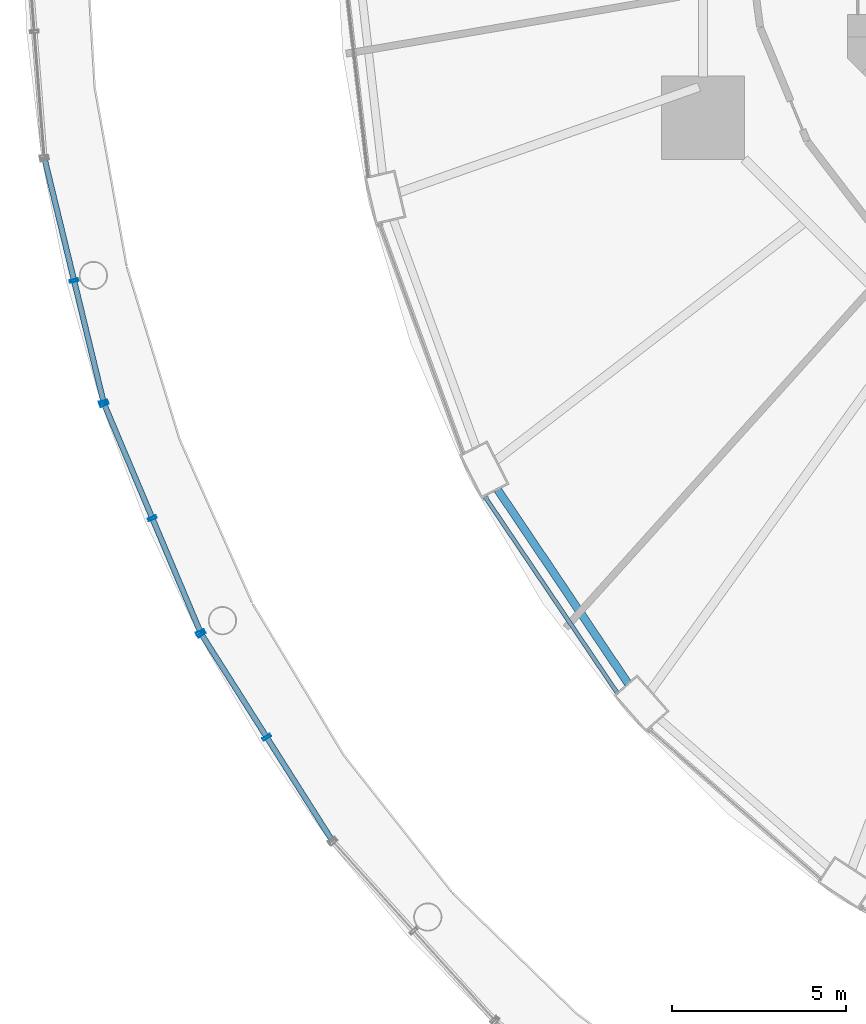
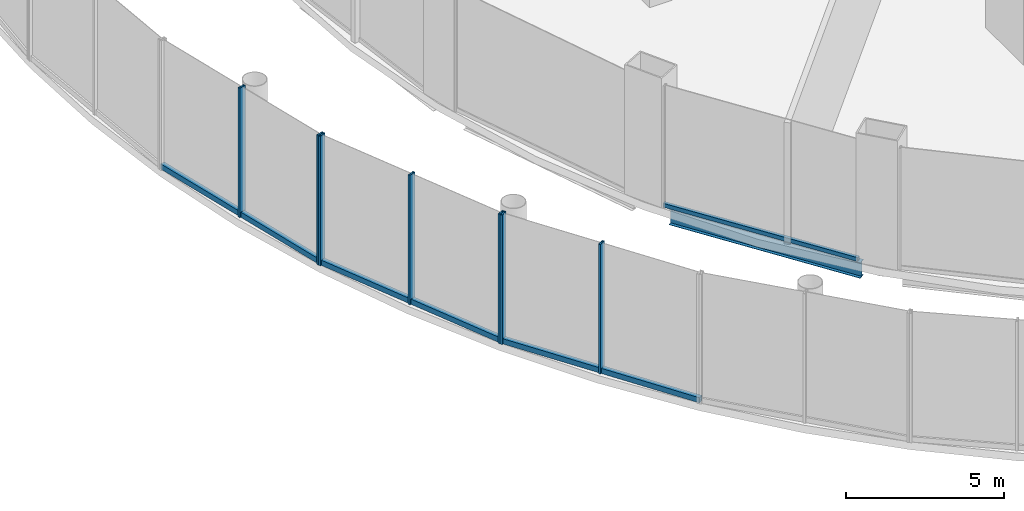
# One storey, part 5 of 48: 11 members, 1 beam, 4 elements without a shape of their own.
"""IFC4 building model written with IfcOpenShell, lengths in metres."""

from ifc_helpers import new_model, si_unit, direction, frame, origin, origin_2d, place, context, subcontext, project, spatial, hollow_rectangle, i_section, extrude, material, layer, layer_set, material_profile, profile_set, type_object, element, aggregate, save


model = new_model("IFC4")

# Units and contexts
model_context = context("Model", 3, precision=1e-05, world=origin(), true_north=direction((0.0, 1.0)))
body_context = subcontext(model_context, "Body", "Model", "MODEL_VIEW")
ifc_project = project(units=[si_unit("LENGTHUNIT", "METRE"), si_unit("AREAUNIT", "SQUARE_METRE"), si_unit("VOLUMEUNIT", "CUBIC_METRE"), si_unit("PLANEANGLEUNIT", "RADIAN"), si_unit("MASSUNIT", "GRAM", prefix="KILO")], contexts=[model_context])

# Site, building, storey
site_placement = place(None, origin())
site = spatial("IfcSite", under=ifc_project, at=site_placement, CompositionType="ELEMENT")
building_placement = place(site_placement, origin())
building = spatial("IfcBuilding", under=site, at=building_placement, Name="Nagisa Residences", CompositionType="ELEMENT")
storey_placement = place(building_placement, frame((0.0, 0.0, 12.0)))
storey = spatial("IfcBuildingStorey", under=building, at=storey_placement, Name="L02", CompositionType="ELEMENT", Elevation=12.0)

# Curtain wall, members
ifc_material_1 = material(Name="Stainless steel curtain wall system", Category="steel")
ifc_layer_1 = layer(ifc_material_1, 0.159912109375)
ifc_layer_set_1 = layer_set([ifc_layer_1], Name="CW3 CURTAIN WALL")
curtain_wall_type_1 = type_object("IfcCurtainWallType", Name="CW3 CURTAIN WALL", PredefinedType="NOTDEFINED", material=ifc_layer_set_1)
curtain_wall_1_placement = place(storey_placement, origin())
curtain_wall_1 = element("IfcCurtainWall", 1, at=curtain_wall_1_placement, inside=storey, type_object=curtain_wall_type_1, Name="cw:CW3:L02:19", PredefinedType="NOTDEFINED")
ifc_material_2 = material(Name="Stainless steel", Category="steel")
ifc_material_profile_1 = material_profile(ifc_material_2, hollow_rectangle(XDim=0.25, YDim=0.080078125, WallThickness=0.008056640625, at=origin_2d()), Name="CW3 MULLION 250x80")
ifc_profile_set_1 = profile_set([ifc_material_profile_1], Name="Stainless steel")
member_type_1 = type_object("IfcMemberType", Name="CW3 MULLION 250x80", PredefinedType="MULLION", material=ifc_profile_set_1)
member_1_placement = place(storey_placement, frame((-32.8876953125, -10.810302734375, 0.0), z_axis=(0.0, 0.0, 1.0), x_axis=(0.971848775146, 0.235605514043, 0.0)))
member_1 = element("IfcMember", 2, at=member_1_placement, type_object=member_type_1, Name="CW3 mullion", PredefinedType="MULLION", context=body_context, shape_type="SweptSolid", body=[
    extrude(hollow_rectangle(XDim=0.25, YDim=0.080078125, WallThickness=0.008056640625, at=origin_2d()), origin(), (0.0, 0.0, 1.0), 5.0),
])
member_2_placement = place(storey_placement, frame((-32.0400390625, -14.30712890625, 0.0), z_axis=(0.0, 0.0, 1.0), x_axis=(0.971848775146, 0.235605514043, 0.0)))
member_2 = element("IfcMember", 3, at=member_2_placement, type_object=member_type_1, Name="CW3 mullion", PredefinedType="MULLION", context=body_context, shape_type="SweptSolid", body=[
    extrude(hollow_rectangle(XDim=0.25, YDim=0.080078125, WallThickness=0.008056640625, at=origin_2d()), origin(), (0.0, 0.0, 1.0), 5.0),
])

curtain_wall_2_placement = place(storey_placement, origin())
curtain_wall_2 = element("IfcCurtainWall", 4, at=curtain_wall_2_placement, inside=storey, type_object=curtain_wall_type_1, Name="cw:CW3:L02:20", PredefinedType="NOTDEFINED")
member_3_placement = place(storey_placement, frame((-32.01904296875, -14.37060546875, 0.0), z_axis=(0.0, 0.0, 1.0), x_axis=(0.921356767819, 0.388718029417, 0.0)))
member_3 = element("IfcMember", 5, at=member_3_placement, type_object=member_type_1, Name="CW3 mullion", PredefinedType="MULLION", context=body_context, shape_type="SweptSolid", body=[
    extrude(hollow_rectangle(XDim=0.25, YDim=0.080078125, WallThickness=0.008056640625, at=origin_2d()), origin(), (0.0, 0.0, 1.0), 5.0),
])
member_4_placement = place(storey_placement, frame((-30.635009765625, -17.6513671875, 0.0), z_axis=(0.0, 0.0, 1.0), x_axis=(0.921356767819, 0.388718029417, 0.0)))
member_4 = element("IfcMember", 6, at=member_4_placement, type_object=member_type_1, Name="CW3 mullion", PredefinedType="MULLION", context=body_context, shape_type="SweptSolid", body=[
    extrude(hollow_rectangle(XDim=0.25, YDim=0.080078125, WallThickness=0.008056640625, at=origin_2d()), origin(), (0.0, 0.0, 1.0), 5.0),
])
member_5_placement = place(storey_placement, frame((-29.250732421875, -20.93212890625, 0.0), z_axis=(0.0, 0.0, 1.0), x_axis=(0.921356767819, 0.388718029417, 0.0)))
member_5 = element("IfcMember", 7, at=member_5_placement, type_object=member_type_1, Name="CW3 mullion", PredefinedType="MULLION", context=body_context, shape_type="SweptSolid", body=[
    extrude(hollow_rectangle(XDim=0.25, YDim=0.080078125, WallThickness=0.008056640625, at=origin_2d()), origin(), (0.0, 0.0, 1.0), 5.0),
])

curtain_wall_3_placement = place(storey_placement, origin())
curtain_wall_3 = element("IfcCurtainWall", 8, at=curtain_wall_3_placement, inside=storey, type_object=curtain_wall_type_1, Name="cw:CW3:L02:21", PredefinedType="NOTDEFINED")
member_6_placement = place(storey_placement, frame((-29.219970703125, -20.990966796875, 0.0), z_axis=(0.0, 0.0, 1.0), x_axis=(0.844747368001, 0.535165286856, 0.0)))
member_6 = element("IfcMember", 9, at=member_6_placement, type_object=member_type_1, Name="CW3 mullion", PredefinedType="MULLION", context=body_context, shape_type="SweptSolid", body=[
    extrude(hollow_rectangle(XDim=0.25, YDim=0.080078125, WallThickness=0.008056640625, at=origin_2d()), origin(), (0.0, 0.0, 1.0), 5.0),
])
member_7_placement = place(storey_placement, frame((-27.341796875, -23.955810546875, 0.0), z_axis=(0.0, 0.0, 1.0), x_axis=(0.844747368001, 0.535165286856, 0.0)))
member_7 = element("IfcMember", 10, at=member_7_placement, type_object=member_type_1, Name="CW3 mullion", PredefinedType="MULLION", context=body_context, shape_type="SweptSolid", body=[
    extrude(hollow_rectangle(XDim=0.25, YDim=0.080078125, WallThickness=0.008056640625, at=origin_2d()), origin(), (0.0, 0.0, 1.0), 5.0),
])

# Member
ifc_material_3 = material(Name="Stainless steel", Category="steel")
ifc_material_profile_2 = material_profile(ifc_material_3, hollow_rectangle(XDim=0.159912109375, YDim=0.199951171875, WallThickness=0.008056640625, at=origin_2d()), Name="CW3 TRANSOM 160x200")
ifc_profile_set_2 = profile_set([ifc_material_profile_2], Name="Stainless steel")
member_type_2 = type_object("IfcMemberType", Name="CW3 TRANSOM 160x200", PredefinedType="USERDEFINED", material=ifc_profile_set_2)
member_8_placement = place(storey_placement, frame((-33.744873046875, -7.2744140625, 0.10009765625), z_axis=(0.235605787455, -0.971848708863, 0.0), x_axis=(0.971848708863, 0.235605787455, 0.0)))
member_8 = element("IfcMember", 11, at=member_8_placement, type_object=member_type_2, Name="CW3 transom", ObjectType="TRANSOM", PredefinedType="USERDEFINED", context=body_context, shape_type="SweptSolid", body=[
    extrude(hollow_rectangle(XDim=0.159912109375, YDim=0.199951171875, WallThickness=0.008056640625, at=origin_2d()), origin(), (0.0, 0.0, 1.0), 7.2763671875),
])

aggregate(curtain_wall_1, [member_1, member_2, member_8])

member_9_placement = place(storey_placement, frame((-32.03466796875, -14.333740234375, 0.10009765625), z_axis=(0.388708599467, -0.921360746234, 0.0), x_axis=(0.921360746234, 0.388708599467, 0.0)))
member_9 = element("IfcMember", 12, at=member_9_placement, type_object=member_type_2, Name="CW3 transom", ObjectType="TRANSOM", PredefinedType="USERDEFINED", context=body_context, shape_type="SweptSolid", body=[
    extrude(hollow_rectangle(XDim=0.159912109375, YDim=0.199951171875, WallThickness=0.008056640625, at=origin_2d()), origin(), (0.0, 0.0, 1.0), 7.20166015625),
])

aggregate(curtain_wall_2, [member_3, member_4, member_5, member_9])

member_10_placement = place(storey_placement, frame((-29.241455078125, -20.957275390625, 0.10009765625), z_axis=(0.535169889444, -0.844744452147, 0.0), x_axis=(0.844744452147, 0.535169889444, 0.0)))
member_10 = element("IfcMember", 13, at=member_10_placement, type_object=member_type_2, Name="CW3 transom", ObjectType="TRANSOM", PredefinedType="USERDEFINED", context=body_context, shape_type="SweptSolid", body=[
    extrude(hollow_rectangle(XDim=0.159912109375, YDim=0.199951171875, WallThickness=0.008056640625, at=origin_2d()), origin(), (0.0, 0.0, 1.0), 7.099365234375),
])

aggregate(curtain_wall_3, [member_6, member_7, member_10])

# Curtain wall, member
ifc_material_4 = material(Name="Stainless steel curtain wall system", Category="steel")
ifc_layer_2 = layer(ifc_material_4, 0.159912109375)
ifc_layer_set_2 = layer_set([ifc_layer_2], Name="CW6 CURTAIN WALL")
curtain_wall_type_2 = type_object("IfcCurtainWallType", Name="CW6 CURTAIN WALL", PredefinedType="NOTDEFINED", material=ifc_layer_set_2)
curtain_wall_4_placement = place(storey_placement, origin())
curtain_wall_4 = element("IfcCurtainWall", 14, at=curtain_wall_4_placement, inside=storey, type_object=curtain_wall_type_2, Name="cw:CW6:L02:28", PredefinedType="NOTDEFINED")
ifc_material_5 = material(Name="Stainless steel", Category="steel")
ifc_material_profile_3 = material_profile(ifc_material_5, hollow_rectangle(XDim=0.1201171875, YDim=0.14990234375, WallThickness=0.008056640625, at=origin_2d()), Name="CW6 TRANSOM 120x150")
ifc_profile_set_3 = profile_set([ifc_material_profile_3], Name="Stainless steel")
member_type_3 = type_object("IfcMemberType", Name="CW6 TRANSOM 120x150", PredefinedType="USERDEFINED", material=ifc_profile_set_3)
member_11_placement = place(storey_placement, frame((-21.05712890625, -17.03564453125, 0.074951171875), z_axis=(0.559080645991, -0.829113280124, 0.0), x_axis=(0.829113280124, 0.559080645991, 0.0)))
member_11 = element("IfcMember", 15, at=member_11_placement, type_object=member_type_3, Name="CW6 transom", ObjectType="TRANSOM", PredefinedType="USERDEFINED", context=body_context, shape_type="SweptSolid", body=[
    extrude(hollow_rectangle(XDim=0.1201171875, YDim=0.14990234375, WallThickness=0.008056640625, at=origin_2d()), origin(), (0.0, 0.0, 1.0), 6.84326171875),
])
aggregate(curtain_wall_4, [member_11])

# Beam
ifc_material_6 = material(Name="Steel ASTM A572 Gr 50", Category="steel")
ifc_material_profile_4 = material_profile(ifc_material_6, i_section(OverallWidth=0.22802734375, OverallDepth=0.60302734375, WebThickness=0.010498046875, FlangeThickness=0.014892578125, at=origin_2d()), Name="W610x101")
ifc_profile_set_4 = profile_set([ifc_material_profile_4], Name="Steel ASTM A572 Gr 50")
beam_type = type_object("IfcBeamType", Name="Perimeter ring beam W610x101", PredefinedType="BEAM", material=ifc_profile_set_4)
beam_placement = place(storey_placement, frame((-20.69921875, -16.818603515625, -0.6015625), z_axis=(0.558296806041, -0.829641293792, 0.0), x_axis=(0.829641293792, 0.558296806041, 0.0)))
element("IfcBeam", 16, at=beam_placement, inside=storey, type_object=beam_type, Name="beam:L02:pb15", PredefinedType="BEAM", context=body_context, shape_type="SweptSolid", body=[
    extrude(i_section(OverallWidth=0.22802734375, OverallDepth=0.60302734375, WebThickness=0.010498046875, FlangeThickness=0.014892578125, at=origin_2d()), origin(), (0.0, 0.0, 1.0), 6.74169921875),
])

save(model, "model.ifc")
